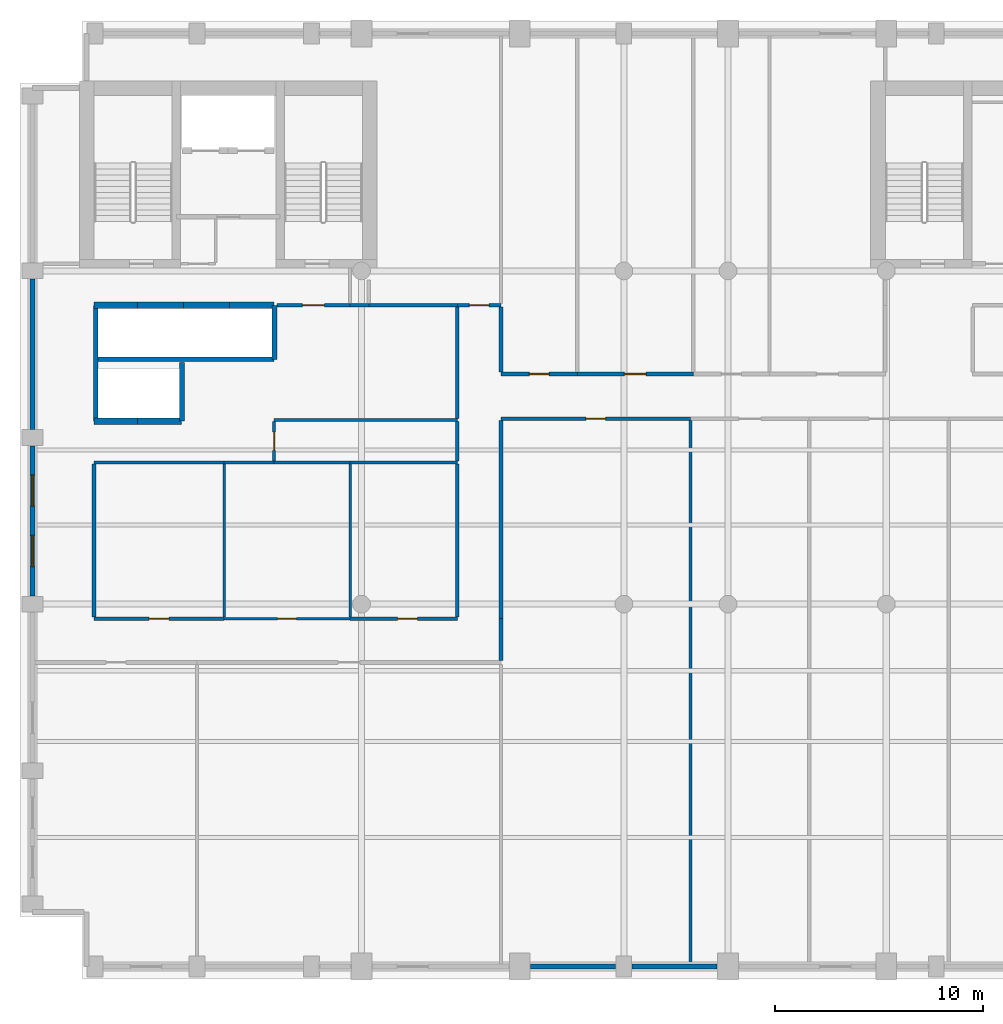
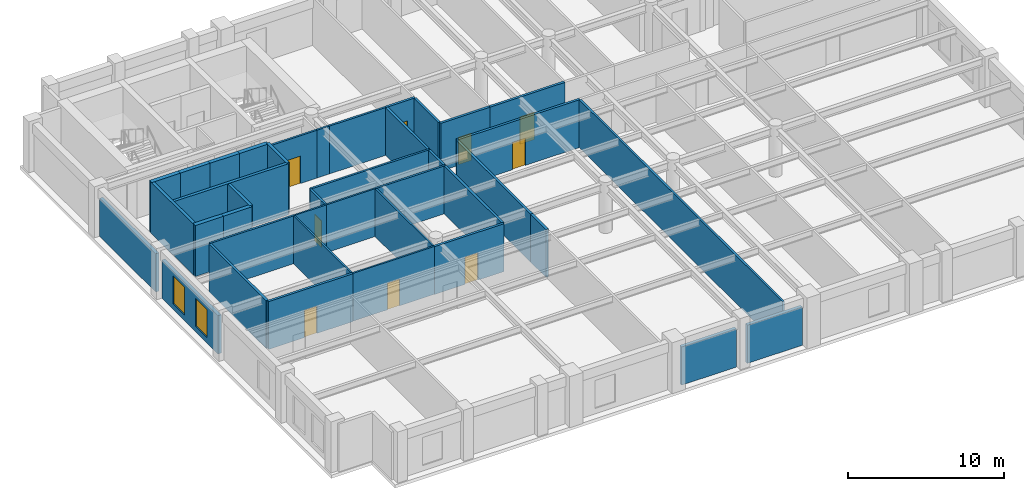
# One storey, part 3 of 8: 40 walls, 9 doors, 2 windows, 11 openings.
"""IFC4 building model written with IfcOpenShell, lengths in metres."""

import ifcopenshell
import ifcopenshell.guid

model = None  # the IFC model being written
_history = None  # IfcOwnerHistory: only IFC2X3 demands one
_inside = {}  # id of a spatial element -> (the spatial element, [elements in it])
_under = {}  # id of a project, library or spatial element -> (it, [spatial elements below it])
_declared = {}  # id of a project -> (the project, [libraries it declares])
_typed = {}  # id of a type object -> (the type object, [elements of that type])
_made_of = {}  # id of a material, layer set ... -> (it, [elements and type objects made of it])


def new_model(schema):
    """Start an empty IFC model of exactly this schema.

    Asked for "IFC4X3", IfcOpenShell would pick the latest addendum, in which some entities
    have other attributes; the version numbers below select the first issue.
    IFC2X3 requires an IfcOwnerHistory on every rooted entity: one is made here for all.
    """
    global model, _history
    if schema == "IFC4X3":
        model = ifcopenshell.file(schema_version=(4, 3, 0, 0))
    else:
        model = ifcopenshell.file(schema=schema)
    _inside.clear()
    _under.clear()
    _declared.clear()
    _typed.clear()
    _made_of.clear()
    _history = None
    if model.schema == "IFC2X3":
        org = make("IfcOrganization", Name="unknown")
        user = make(
            "IfcPersonAndOrganization",
            ThePerson=make("IfcPerson", FamilyName="unknown"),
            TheOrganization=org,
        )
        app = make(
            "IfcApplication",
            ApplicationDeveloper=org,
            Version="unknown",
            ApplicationFullName="unknown",
            ApplicationIdentifier="unknown",
        )
        _history = make(
            "IfcOwnerHistory",
            OwningUser=user,
            OwningApplication=app,
            ChangeAction="ADDED",
            CreationDate=0,
        )
    return model


def make(cls, **values):
    """One entity of the class cls with the attributes given. An attribute that is None is left unset."""
    return model.create_entity(
        cls, **{name: value for name, value in values.items() if value is not None}
    )


def rooted(cls, **values):
    """An entity with a GlobalId (a new one), such as an element, a storey or a relation."""
    return make(cls, GlobalId=ifcopenshell.guid.new(), OwnerHistory=_history, **values)


def si_unit(unit_type, name, prefix=None):
    """IfcSIUnit, for example si_unit("LENGTHUNIT", "METRE", prefix="MILLI")."""
    return make("IfcSIUnit", UnitType=unit_type, Prefix=prefix, Name=name)


def assignment(units):
    """IfcUnitAssignment: the units of a project."""
    return None if units is None else make("IfcUnitAssignment", Units=units)


def point(xyz):
    """IfcCartesianPoint."""
    return None if xyz is None else make("IfcCartesianPoint", Coordinates=xyz)


def direction(xyz):
    """IfcDirection."""
    return None if xyz is None else make("IfcDirection", DirectionRatios=xyz)


def frame(location, z_axis=None, x_axis=None):
    """IfcAxis2Placement3D, a coordinate frame: its origin and axes. An axis left out is left unset."""
    return make(
        "IfcAxis2Placement3D",
        Location=point(location),
        Axis=direction(z_axis),
        RefDirection=direction(x_axis),
    )


def frame_2d(location, x_axis=None):
    """IfcAxis2Placement2D, a coordinate frame in the plane: its origin and x axis."""
    return make(
        "IfcAxis2Placement2D", Location=point(location), RefDirection=direction(x_axis)
    )


def origin():
    """The frame at (0, 0, 0) with its axes left unset."""
    return frame((0.0, 0.0, 0.0))


def place(relative_to, where):
    """IfcLocalPlacement: puts the frame where relative to a parent placement (None: the world)."""
    return make(
        "IfcLocalPlacement", PlacementRelTo=relative_to, RelativePlacement=where
    )


def context(
    kind, dimensions, precision=None, world=None, true_north=None, identifier=None
):
    """IfcGeometricRepresentationContext, for example the 3D "Model" context."""
    return make(
        "IfcGeometricRepresentationContext",
        ContextIdentifier=identifier,
        ContextType=kind,
        CoordinateSpaceDimension=dimensions,
        Precision=precision,
        WorldCoordinateSystem=world,
        TrueNorth=true_north,
    )


def subcontext(parent, identifier, kind, view, scale=None):
    """IfcGeometricRepresentationSubContext, for example "Body" below "Model"."""
    return make(
        "IfcGeometricRepresentationSubContext",
        ContextIdentifier=identifier,
        ContextType=kind,
        ParentContext=parent,
        TargetScale=scale,
        TargetView=view,
    )


def project(units=None, contexts=None):
    """IfcProject with its units and contexts."""
    return rooted(
        "IfcProject",
        Name="project",
        RepresentationContexts=contexts,
        UnitsInContext=assignment(units),
    )


def spatial(cls, under=None, at=None, **own):
    """A site, building, storey or space (cls), placed at a placement, below another one or the project."""
    s = rooted(cls, ObjectPlacement=at, **own)
    if under is not None:
        _under.setdefault(under.id(), (under, []))[1].append(s)
    return s


def profile(cls, at=None, kind="AREA", **sizes):
    """A parametric profile (cls). Its sizes go by their IFC names, for example OverallWidth=200.0."""
    return make(cls, ProfileType=kind, Position=at, **sizes)


def rectangle(**sizes):
    """IfcRectangleProfileDef."""
    return profile("IfcRectangleProfileDef", **sizes)


def extrude(swept, where, along, depth):
    """IfcExtrudedAreaSolid: the profile swept, set in the frame where, extruded along a direction by depth."""
    return make(
        "IfcExtrudedAreaSolid",
        SweptArea=swept,
        Position=where,
        ExtrudedDirection=direction(along),
        Depth=depth,
    )


def shape(context_of_items, identifier, shape_type, items):
    """IfcShapeRepresentation: the items that make up one representation, for example the "Body"."""
    return make(
        "IfcShapeRepresentation",
        ContextOfItems=context_of_items,
        RepresentationIdentifier=identifier,
        RepresentationType=shape_type,
        Items=items,
    )


def material(Name=None, Category=None):
    """IfcMaterial."""
    return make("IfcMaterial", Name=Name, Category=Category)


def layer(
    of_material, thickness, ventilated=None, Name=None, Category=None, Priority=None
):
    """IfcMaterialLayer: one layer of a wall or slab, of a material (None: an air gap)."""
    return make(
        "IfcMaterialLayer",
        Material=of_material,
        LayerThickness=thickness,
        IsVentilated=ventilated,
        Name=Name,
        Category=Category,
        Priority=Priority,
    )


def layer_set(layers, Name=None):
    """IfcMaterialLayerSet."""
    return make("IfcMaterialLayerSet", MaterialLayers=layers, LayerSetName=Name)


def made_of(thing, what):
    """Note that an element or type object is made of a material, layer set ...; save() writes the relation."""
    if what is not None:
        _made_of.setdefault(what.id(), (what, []))[1].append(thing)
    return thing


def type_object(cls, material=None, **own):
    """A type object (cls), such as IfcWallType, which elements share."""
    return made_of(rooted(cls, **own), material)


def element(
    cls,
    number,
    at=None,
    inside=None,
    cuts=None,
    type_object=None,
    material=None,
    context=None,
    identifier="Body",
    shape_type=None,
    held_by="IfcProductDefinitionShape",
    body=None,
    shapes=None,
    **own,
):
    """One element of the class cls, such as IfcWall. Its Tag is "e" and its number.

    at: its placement. inside: the storey or other place that contains it. cuts: it is an
    opening in that element (IfcRelVoidsElement). A single representation is given by context,
    identifier, shape_type and body (its items); several are given by shapes. held_by: the class
    of the entity that holds the representations. save() writes the other relations.
    """
    e = rooted(cls, Tag="e%d" % number, ObjectPlacement=at, **own)
    if body is not None:
        shapes = [shape(context, identifier, shape_type, body)]
    if shapes is not None:
        e.Representation = make(held_by, Representations=shapes)
    if inside is not None:
        _inside.setdefault(inside.id(), (inside, []))[1].append(e)
    if cuts is not None:
        rooted(
            "IfcRelVoidsElement", RelatingBuildingElement=cuts, RelatedOpeningElement=e
        )
    if type_object is not None:
        _typed.setdefault(type_object.id(), (type_object, []))[1].append(e)
    return made_of(e, material)


def fill(opening, filler):
    """IfcRelFillsElement: the door or window that sits in an opening."""
    return rooted(
        "IfcRelFillsElement",
        RelatingOpeningElement=opening,
        RelatedBuildingElement=filler,
    )


def aggregate(whole, parts):
    """IfcRelAggregates: a whole, such as a stair, and the parts it consists of."""
    return rooted("IfcRelAggregates", RelatingObject=whole, RelatedObjects=parts)


def save(model, path):
    """Write the relations noted so far, then the file.

    IfcRelAggregates (storeys below a building ...), IfcRelContainedInSpatialStructure (elements
    in a storey), IfcRelDefinesByType, IfcRelAssociatesMaterial and IfcRelDeclares: one each for
    every whole, place, type object, material and project.
    """
    for whole, parts in _under.values():
        aggregate(whole, parts)
    for where, things in _inside.values():
        rooted(
            "IfcRelContainedInSpatialStructure",
            RelatedElements=things,
            RelatingStructure=where,
        )
    for kind, things in _typed.values():
        rooted("IfcRelDefinesByType", RelatedObjects=things, RelatingType=kind)
    for what, things in _made_of.values():
        rooted("IfcRelAssociatesMaterial", RelatedObjects=things, RelatingMaterial=what)
    for by, libraries in _declared.values():
        rooted("IfcRelDeclares", RelatingContext=by, RelatedDefinitions=libraries)
    model.write(path)


model = new_model("IFC4")

# Units and contexts
model_context = context("Model", 3, precision=1e-05, world=origin(), true_north=direction((0.0, 1.0)))
body_context = subcontext(model_context, "Body", "Model", "MODEL_VIEW")
ifc_project = project(units=[si_unit("LENGTHUNIT", "METRE"), si_unit("AREAUNIT", "SQUARE_METRE"), si_unit("VOLUMEUNIT", "CUBIC_METRE"), si_unit("PLANEANGLEUNIT", "RADIAN"), si_unit("MASSUNIT", "GRAM", prefix="KILO")], contexts=[model_context])

# Site, building, storey
site_placement = place(None, origin())
site = spatial("IfcSite", under=ifc_project, at=site_placement, CompositionType="ELEMENT")
building_placement = place(site_placement, origin())
building = spatial("IfcBuilding", under=site, at=building_placement, Name="Sulina Concourse Tower", CompositionType="ELEMENT")
storey_placement = place(building_placement, frame((0.0, 0.0, 226.60009765625)))
storey = spatial("IfcBuildingStorey", under=building, at=storey_placement, Name="L55", CompositionType="ELEMENT", Elevation=226.60009765625)

# Walls
ifc_material_1 = material(Name="Concrete C50/60", Category="concrete")
ifc_layer_1 = layer(ifc_material_1, 0.219970703125)
ifc_layer_set_1 = layer_set([ifc_layer_1], Name="Concrete C50/60")
wall_type_1 = type_object("IfcWallType", Name="Core Lift Hoistway Divider Wall 220mm", PredefinedType="SOLIDWALL", material=ifc_layer_set_1)
wall_1_placement = place(storey_placement, frame((3.550048828125, 29.75, 0.0), z_axis=(0.0, 0.0, 1.0), x_axis=(1.0, 0.0, 0.0)))
element("IfcWall", 1, at=wall_1_placement, inside=storey, type_object=wall_type_1, Name="L55 shaft divider wall HW-LP3-S", PredefinedType="SOLIDWALL", context=body_context, shape_type="SweptSolid", body=[
    extrude(rectangle(XDim=8.64990234375, YDim=0.219970703125, at=frame_2d((4.324951171875, 0.0))), origin(), (0.0, 0.0, 1.0), 4.0),
])
wall_2_placement = place(storey_placement, frame((3.6298828125, 26.800048828125, 0.0), z_axis=(0.0, 0.0, 1.0), x_axis=(0.0, 1.0, 0.0)))
element("IfcWall", 2, at=wall_2_placement, inside=storey, type_object=wall_type_1, Name="L55 shaft divider wall HW-LP3-W", PredefinedType="SOLIDWALL", context=body_context, shape_type="SweptSolid", body=[
    extrude(rectangle(XDim=5.550048828125, YDim=0.219970703125, at=frame_2d((2.77490234375, 0.0))), origin(), (0.0, 0.0, 1.0), 4.0),
])
wall_3_placement = place(storey_placement, frame((7.780029296875, 26.800048828125, 0.0), z_axis=(0.0, 0.0, 1.0), x_axis=(0.0, 1.0, 0.0)))
element("IfcWall", 3, at=wall_3_placement, inside=storey, type_object=wall_type_1, Name="L55 shaft divider wall HW-EXP-E", PredefinedType="SOLIDWALL", context=body_context, shape_type="SweptSolid", body=[
    extrude(rectangle(XDim=2.800048828125, YDim=0.219970703125, at=frame_2d((1.39990234375, 0.0))), origin(), (0.0, 0.0, 1.0), 4.0),
])
wall_4_placement = place(storey_placement, frame((12.219970703125, 29.75, 0.0), z_axis=(0.0, 0.0, 1.0), x_axis=(0.0, 1.0, 0.0)))
element("IfcWall", 4, at=wall_4_placement, inside=storey, type_object=wall_type_1, Name="L55 shaft divider wall HW-LP3-E", PredefinedType="SOLIDWALL", context=body_context, shape_type="SweptSolid", body=[
    extrude(rectangle(XDim=2.60009765625, YDim=0.219970703125, at=frame_2d((1.300048828125, 0.0))), origin(), (0.0, 0.0, 1.0), 4.0),
])
ifc_material_2 = material(Name="Concrete C50/60", Category="concrete")
ifc_layer_2 = layer(ifc_material_2, 0.300048828125)
ifc_layer_set_2 = layer_set([ifc_layer_2], Name="Concrete C50/60")
wall_type_2 = type_object("IfcWallType", Name="Core Lift Hoistway Wall 300mm", PredefinedType="SOLIDWALL", material=ifc_layer_set_2)
wall_5_placement = place(storey_placement, frame((3.550048828125, 32.35009765625, 0.0), z_axis=(0.0, 0.0, 1.0), x_axis=(1.0, 0.0, 0.0)))
element("IfcWall", 5, at=wall_5_placement, inside=storey, type_object=wall_type_2, Name="L55 hoistway enclosure wall LP-09", PredefinedType="SOLIDWALL", context=body_context, shape_type="SweptSolid", body=[
    extrude(rectangle(XDim=2.099853515625, YDim=0.300048828125, at=frame_2d((1.0498046875, 0.0))), origin(), (0.0, 0.0, 1.0), 4.0),
])
wall_6_placement = place(storey_placement, frame((5.64990234375, 32.35009765625, 0.0), z_axis=(0.0, 0.0, 1.0), x_axis=(1.0, 0.0, 0.0)))
element("IfcWall", 6, at=wall_6_placement, inside=storey, type_object=wall_type_2, Name="L55 hoistway enclosure wall LP-10", PredefinedType="SOLIDWALL", context=body_context, shape_type="SweptSolid", body=[
    extrude(rectangle(XDim=2.2001953125, YDim=0.300048828125, at=frame_2d((1.10009765625, 0.0))), origin(), (0.0, 0.0, 1.0), 4.0),
])
wall_7_placement = place(storey_placement, frame((7.85009765625, 32.35009765625, 0.0), z_axis=(0.0, 0.0, 1.0), x_axis=(1.0, 0.0, 0.0)))
element("IfcWall", 7, at=wall_7_placement, inside=storey, type_object=wall_type_2, Name="L55 hoistway enclosure wall LP-11", PredefinedType="SOLIDWALL", context=body_context, shape_type="SweptSolid", body=[
    extrude(rectangle(XDim=2.199951171875, YDim=0.300048828125, at=frame_2d((1.10009765625, 0.0))), origin(), (0.0, 0.0, 1.0), 4.0),
])
wall_8_placement = place(storey_placement, frame((10.050048828125, 32.35009765625, 0.0), z_axis=(0.0, 0.0, 1.0), x_axis=(1.0, 0.0, 0.0)))
element("IfcWall", 8, at=wall_8_placement, inside=storey, type_object=wall_type_2, Name="L55 hoistway enclosure wall LP-12", PredefinedType="SOLIDWALL", context=body_context, shape_type="SweptSolid", body=[
    extrude(rectangle(XDim=2.14990234375, YDim=0.300048828125, at=frame_2d((1.074951171875, 0.0))), origin(), (0.0, 0.0, 1.0), 4.0),
])
wall_9_placement = place(storey_placement, frame((5.64990234375, 26.780029296875, 0.0), z_axis=(0.0, 0.0, 1.0), x_axis=(-1.0, 0.0, 0.0)))
element("IfcWall", 9, at=wall_9_placement, inside=storey, type_object=wall_type_2, Name="L55 hoistway enclosure wall EXP-1", PredefinedType="SOLIDWALL", context=body_context, shape_type="SweptSolid", body=[
    extrude(rectangle(XDim=2.099853515625, YDim=0.300048828125, at=frame_2d((1.0498046875, 0.0))), origin(), (0.0, 0.0, 1.0), 4.0),
])
wall_10_placement = place(storey_placement, frame((7.75, 26.780029296875, 0.0), z_axis=(0.0, 0.0, 1.0), x_axis=(-1.0, 0.0, 0.0)))
element("IfcWall", 10, at=wall_10_placement, inside=storey, type_object=wall_type_2, Name="L55 hoistway enclosure wall EXP-2", PredefinedType="SOLIDWALL", context=body_context, shape_type="SweptSolid", body=[
    extrude(rectangle(XDim=2.10009765625, YDim=0.300048828125, at=frame_2d((1.050048828125, 0.0))), origin(), (0.0, 0.0, 1.0), 4.0),
])
ifc_material_3 = material(Name="Precast concrete C50/60", Category="concrete")
ifc_layer_3 = layer(ifc_material_3, 0.239990234375)
ifc_layer_set_3 = layer_set([ifc_layer_3], Name="Precast concrete C50/60")
wall_type_3 = type_object("IfcWallType", Name="Crown Precast Masonry-Frame Facade Wall 240mm", PredefinedType="SOLIDWALL", material=ifc_layer_set_3)
for number, where, z_axis, x_axis, name in (
    (11, (28.60498046875, 0.60009765625, 0.0), (0.0, 0.0, 1.0), (-1.0, 0.0, 0.0), "L55 exterior precast wall S5"),
    (12, (33.47998046875, 0.60009765625, 0.0), (0.0, 0.0, 1.0), (-1.0, 0.0, 0.0), "L55 exterior precast wall S6"),
):
    element("IfcWall", number, at=place(storey_placement, frame(where, z_axis=z_axis, x_axis=x_axis)), inside=storey, type_object=wall_type_3, Name=name, PredefinedType="SOLIDWALL", context=body_context, shape_type="SweptSolid", body=[
        extrude(rectangle(XDim=4.0849609375, YDim=0.239990234375, at=frame_2d((2.04248046875, 0.0))), origin(), (0.0, 0.0, 1.0), 3.0),
    ])

# Wall, openings, windows
wall_11_placement = place(storey_placement, frame((0.60009765625, 18.39501953125, 0.0), z_axis=(0.0, 0.0, 1.0), x_axis=(0.0, 1.0, 0.0)))
wall_11 = element("IfcWall", 13, at=wall_11_placement, inside=storey, type_object=wall_type_3, Name="L55 exterior precast wall W3", PredefinedType="SOLIDWALL", context=body_context, shape_type="SweptSolid", body=[
    extrude(rectangle(XDim=7.2099609375, YDim=0.239990234375, at=frame_2d((3.60498046875, 0.0))), origin(), (0.0, 0.0, 1.0), 3.0),
])
opening_1_placement = place(wall_11_placement, frame((1.4033203125, 0.0, 0.419921875)))
opening_1 = element("IfcOpeningElement", 14, at=opening_1_placement, cuts=wall_11, Name="Opening WN-71", PredefinedType="OPENING", context=body_context, shape_type="SweptSolid", body=[
    extrude(rectangle(XDim=1.5, YDim=2.199951171875, at=frame_2d((0.75, 1.10009765625))), frame((0.0, 0.1298828125, 0.0), z_axis=(0.0, -1.0, 0.0), x_axis=(1.0, 0.0, 0.0)), (0.0, 0.0, 1.0), 0.260009765625),
])
opening_2_placement = place(wall_11_placement, frame((4.306640625, 0.0, 0.419921875)))
opening_2 = element("IfcOpeningElement", 15, at=opening_2_placement, cuts=wall_11, Name="Opening WN-71", PredefinedType="OPENING", context=body_context, shape_type="SweptSolid", body=[
    extrude(rectangle(XDim=1.5, YDim=2.199951171875, at=frame_2d((0.75, 1.10009765625))), frame((0.0, 0.1298828125, 0.0), z_axis=(0.0, -1.0, 0.0), x_axis=(1.0, 0.0, 0.0)), (0.0, 0.0, 1.0), 0.260009765625),
])
ifc_material_4 = material(Name="Low-E solar double glazing in bronze aluminium", Category="aluminium")
window_type = type_object("IfcWindowType", Name="Punched Masonry-Frame Window 1500x2200", PartitioningType="SINGLE_PANEL", PredefinedType="WINDOW", material=ifc_material_4)
window_1_placement = place(opening_1_placement, origin())
window_1 = element("IfcWindow", 16, at=window_1_placement, inside=storey, type_object=window_type, Name="L55 punched window W3-1", OverallHeight=2.199951171875, OverallWidth=1.5, PartitioningType="SINGLE_PANEL", PredefinedType="WINDOW", context=body_context, shape_type="SweptSolid", body=[
    extrude(rectangle(XDim=1.5, YDim=2.199951171875, at=frame_2d((0.75, 1.10009765625))), frame((0.0, 0.030029296875, 0.0), z_axis=(0.0, -1.0, 0.0), x_axis=(1.0, 0.0, 0.0)), (0.0, 0.0, 1.0), 0.06005859375),
])
fill(opening_1, window_1)
window_2_placement = place(opening_2_placement, origin())
window_2 = element("IfcWindow", 17, at=window_2_placement, inside=storey, type_object=window_type, Name="L55 punched window W3-2", OverallHeight=2.199951171875, OverallWidth=1.5, PartitioningType="SINGLE_PANEL", PredefinedType="WINDOW", context=body_context, shape_type="SweptSolid", body=[
    extrude(rectangle(XDim=1.5, YDim=2.199951171875, at=frame_2d((0.75, 1.10009765625))), frame((0.0, 0.030029296875, 0.0), z_axis=(0.0, -1.0, 0.0), x_axis=(1.0, 0.0, 0.0)), (0.0, 0.0, 1.0), 0.06005859375),
])
fill(opening_2, window_2)

# Walls
wall_12_placement = place(storey_placement, frame((0.60009765625, 26.39501953125, 0.0), z_axis=(0.0, 0.0, 1.0), x_axis=(0.0, 1.0, 0.0)))
element("IfcWall", 18, at=wall_12_placement, inside=storey, type_object=wall_type_3, Name="L55 exterior precast wall W4", PredefinedType="SOLIDWALL", context=body_context, shape_type="SweptSolid", body=[
    extrude(rectangle(XDim=7.2099609375, YDim=0.239990234375, at=frame_2d((3.60498046875, 0.0))), origin(), (0.0, 0.0, 1.0), 3.0),
])
ifc_material_5 = material(Name="Gypsum board on steel stud", Category="steel")
ifc_layer_4 = layer(ifc_material_5, 0.14990234375)
ifc_layer_set_4 = layer_set([ifc_layer_4], Name="Gypsum board on steel stud")
wall_type_4 = type_object("IfcWallType", Name="Inter-Tenancy Acoustic Partition 150mm", PredefinedType="PARTITIONING", material=ifc_layer_set_4)
wall_13_placement = place(storey_placement, frame((3.550048828125, 24.800048828125, 0.0), z_axis=(0.0, 0.0, 1.0), x_axis=(1.0, 0.0, 0.0)))
element("IfcWall", 19, at=wall_13_placement, inside=storey, type_object=wall_type_4, Name="L55 interior partition 006", PredefinedType="PARTITIONING", context=body_context, shape_type="SweptSolid", body=[
    extrude(rectangle(XDim=6.25, YDim=0.14990234375, at=frame_2d((3.125, 0.0))), origin(), (0.0, 0.0, 1.0), 3.75),
])
wall_14_placement = place(storey_placement, frame((15.85009765625, 24.800048828125, 0.0), z_axis=(0.0, 0.0, 1.0), x_axis=(1.0, 0.0, 0.0)))
element("IfcWall", 20, at=wall_14_placement, inside=storey, type_object=wall_type_4, Name="L55 interior partition 009", PredefinedType="PARTITIONING", context=body_context, shape_type="SweptSolid", body=[
    extrude(rectangle(XDim=5.14990234375, YDim=0.14990234375, at=frame_2d((2.574951171875, 0.0))), origin(), (0.0, 0.0, 1.0), 3.75),
])
wall_15_placement = place(storey_placement, frame((12.199951171875, 26.85009765625, 0.0), z_axis=(0.0, 0.0, 1.0), x_axis=(1.0, 0.0, 0.0)))
element("IfcWall", 21, at=wall_15_placement, inside=storey, type_object=wall_type_4, Name="L55 interior partition 010", PredefinedType="PARTITIONING", context=body_context, shape_type="SweptSolid", body=[
    extrude(rectangle(XDim=8.800048828125, YDim=0.14990234375, at=frame_2d((4.39990234375, 0.0))), origin(), (0.0, 0.0, 1.0), 3.75),
])

# Wall, opening, door
wall_16_placement = place(storey_placement, frame((12.330078125, 32.35009765625, 0.0), z_axis=(0.0, 0.0, 1.0), x_axis=(1.0, 0.0, 0.0)))
wall_16 = element("IfcWall", 22, at=wall_16_placement, inside=storey, type_object=wall_type_4, Name="L55 interior partition 020", PredefinedType="PARTITIONING", context=body_context, shape_type="SweptSolid", body=[
    extrude(rectangle(XDim=3.52001953125, YDim=0.14990234375, at=frame_2d((1.760009765625, 0.0))), origin(), (0.0, 0.0, 1.0), 3.75),
])
opening_3_placement = place(wall_16_placement, frame((1.235107421875, 0.0, 0.0)))
opening_3 = element("IfcOpeningElement", 23, at=opening_3_placement, cuts=wall_16, Name="Opening DR-37", PredefinedType="OPENING", context=body_context, shape_type="SweptSolid", body=[
    extrude(rectangle(XDim=1.050048828125, YDim=2.14990234375, at=frame_2d((0.52490234375, 1.074951171875))), frame((0.0, 0.0849609375, 0.0), z_axis=(0.0, -1.0, 0.0), x_axis=(1.0, 0.0, 0.0)), (0.0, 0.0, 1.0), 0.169921875),
])
ifc_material_6 = material(Name="Oak-veneered fire door leaf")
ifc_layer_5 = layer(ifc_material_6, 0.050048828125)
ifc_layer_set_5 = layer_set([ifc_layer_5], Name="Oak-veneered fire door leaf")
door_type_1 = type_object("IfcDoorType", Name="Tenant Suite Entrance Fire Door 1050x2150", OperationType="NOTDEFINED", PredefinedType="DOOR", material=ifc_layer_set_5)
door_1_placement = place(opening_3_placement, origin())
door_1 = element("IfcDoor", 24, at=door_1_placement, inside=storey, type_object=door_type_1, Name="L55 interior door L55-MR-MRG2", OperationType="SINGLE_SWING_LEFT", OverallHeight=2.14990234375, OverallWidth=1.050048828125, PredefinedType="DOOR", context=body_context, shape_type="SweptSolid", body=[
    extrude(rectangle(XDim=1.050048828125, YDim=2.14990234375, at=frame_2d((0.52490234375, 1.074951171875))), frame((0.0, 0.02490234375, 0.0), z_axis=(0.0, -1.0, 0.0), x_axis=(1.0, 0.0, 0.0)), (0.0, 0.0, 1.0), 0.050048828125),
])
fill(opening_3, door_1)

# Walls
wall_17_placement = place(storey_placement, frame((15.85009765625, 32.35009765625, 0.0), z_axis=(0.0, 0.0, 1.0), x_axis=(1.0, 0.0, 0.0)))
element("IfcWall", 25, at=wall_17_placement, inside=storey, type_object=wall_type_4, Name="L55 interior partition 021", PredefinedType="PARTITIONING", context=body_context, shape_type="SweptSolid", body=[
    extrude(rectangle(XDim=0.89990234375, YDim=0.14990234375, at=frame_2d((0.449951171875, 0.0))), origin(), (0.0, 0.0, 1.0), 3.75),
])
wall_18_placement = place(storey_placement, frame((16.75, 32.35009765625, 0.0), z_axis=(0.0, 0.0, 1.0), x_axis=(1.0, 0.0, 0.0)))
element("IfcWall", 26, at=wall_18_placement, inside=storey, type_object=wall_type_4, Name="L55 interior partition 022", PredefinedType="PARTITIONING", context=body_context, shape_type="SweptSolid", body=[
    extrude(rectangle(XDim=4.25, YDim=0.14990234375, at=frame_2d((2.125, 0.0))), origin(), (0.0, 0.0, 1.0), 3.75),
])

# Wall, opening, door
wall_19_placement = place(storey_placement, frame((12.199951171875, 24.862548828125, 0.0), z_axis=(0.0, 0.0, 1.0), x_axis=(0.0, 1.0, 0.0)))
wall_19 = element("IfcWall", 27, at=wall_19_placement, inside=storey, type_object=wall_type_4, Name="L55 interior partition 034", PredefinedType="PARTITIONING", context=body_context, shape_type="SweptSolid", body=[
    extrude(rectangle(XDim=1.912353515625, YDim=0.14990234375, at=frame_2d((0.9560546875, 0.0))), origin(), (0.0, 0.0, 1.0), 3.75),
])
opening_4_placement = place(wall_19_placement, frame((0.51611328125, 0.0, 0.0)))
opening_4 = element("IfcOpeningElement", 28, at=opening_4_placement, cuts=wall_19, Name="Opening DR-38", PredefinedType="OPENING", context=body_context, shape_type="SweptSolid", body=[
    extrude(rectangle(XDim=0.8798828125, YDim=2.10009765625, at=frame_2d((0.43994140625, 1.050048828125))), frame((0.0, 0.0849609375, 0.0), z_axis=(0.0, -1.0, 0.0), x_axis=(1.0, 0.0, 0.0)), (0.0, 0.0, 1.0), 0.169921875),
])
ifc_material_7 = material(Name="Galvanised steel acoustic fire leaf", Category="steel")
ifc_layer_6 = layer(ifc_material_7, 0.050048828125)
ifc_layer_set_6 = layer_set([ifc_layer_6], Name="Galvanised steel acoustic fire leaf")
door_type_2 = type_object("IfcDoorType", Name="Service Riser Fire Door 880x2100", OperationType="NOTDEFINED", PredefinedType="DOOR", material=ifc_layer_set_6)
door_2_placement = place(opening_4_placement, origin())
door_2 = element("IfcDoor", 29, at=door_2_placement, inside=storey, type_object=door_type_2, Name="L55 interior door L55-MR-MRG1", OperationType="SINGLE_SWING_RIGHT", OverallHeight=2.10009765625, OverallWidth=0.8798828125, PredefinedType="DOOR", context=body_context, shape_type="SweptSolid", body=[
    extrude(rectangle(XDim=0.8798828125, YDim=2.10009765625, at=frame_2d((0.43994140625, 1.050048828125))), frame((0.0, 0.02490234375, 0.0), z_axis=(0.0, -1.0, 0.0), x_axis=(1.0, 0.0, 0.0)), (0.0, 0.0, 1.0), 0.050048828125),
])
fill(opening_4, door_2)

# Wall
wall_20_placement = place(storey_placement, frame((32.199951171875, 0.719970703125, 0.0), z_axis=(0.0, 0.0, 1.0), x_axis=(0.0, 1.0, 0.0)))
element("IfcWall", 30, at=wall_20_placement, inside=storey, type_object=wall_type_4, Name="L55 interior partition 047", PredefinedType="PARTITIONING", context=body_context, shape_type="SweptSolid", body=[
    extrude(rectangle(XDim=26.090087890625, YDim=0.14990234375, at=frame_2d((13.044921875, 0.0))), origin(), (0.0, 0.0, 1.0), 3.75),
])

# Wall, opening, door
ifc_material_8 = material(Name="Gypsum board on steel stud", Category="steel")
ifc_layer_7 = layer(ifc_material_8, 0.179931640625)
ifc_layer_set_7 = layer_set([ifc_layer_7], Name="Gypsum board on steel stud")
wall_type_5 = type_object("IfcWallType", Name="Protected Corridor & Riser Partition 180mm", PredefinedType="PARTITIONING", material=ifc_layer_set_7)
wall_21_placement = place(storey_placement, frame((3.550048828125, 17.300048828125, 0.0), z_axis=(0.0, 0.0, 1.0), x_axis=(1.0, 0.0, 0.0)))
wall_21 = element("IfcWall", 31, at=wall_21_placement, inside=storey, type_object=wall_type_5, Name="L55 interior partition 003", PredefinedType="PARTITIONING", context=body_context, shape_type="SweptSolid", body=[
    extrude(rectangle(XDim=6.25, YDim=0.179931640625, at=frame_2d((3.125, 0.0))), origin(), (0.0, 0.0, 1.0), 3.75),
])
opening_5_placement = place(wall_21_placement, frame((2.64990234375, 0.0, 0.0)))
opening_5 = element("IfcOpeningElement", 32, at=opening_5_placement, cuts=wall_21, Name="Opening DR-19", PredefinedType="OPENING", context=body_context, shape_type="SweptSolid", body=[
    extrude(rectangle(XDim=0.949951171875, YDim=2.14990234375, at=frame_2d((0.47509765625, 1.074951171875))), frame((0.0, 0.099853515625, 0.0), z_axis=(0.0, -1.0, 0.0), x_axis=(1.0, 0.0, 0.0)), (0.0, 0.0, 1.0), 0.199951171875),
])
ifc_material_9 = material(Name="Oak-veneered acoustic timber leaf", Category="wood")
ifc_layer_8 = layer(ifc_material_9, 0.050048828125)
ifc_layer_set_8 = layer_set([ifc_layer_8], Name="Oak-veneered acoustic timber leaf")
door_type_3 = type_object("IfcDoorType", Name="Cellular Office & Meeting Door 950x2150", OperationType="NOTDEFINED", PredefinedType="DOOR", material=ifc_layer_set_8)
door_3_placement = place(opening_5_placement, origin())
door_3 = element("IfcDoor", 33, at=door_3_placement, inside=storey, type_object=door_type_3, Name="L55 interior door L55-LR-MRG1", OperationType="SINGLE_SWING_LEFT", OverallHeight=2.14990234375, OverallWidth=0.949951171875, PredefinedType="DOOR", context=body_context, shape_type="SweptSolid", body=[
    extrude(rectangle(XDim=0.949951171875, YDim=2.14990234375, at=frame_2d((0.47509765625, 1.074951171875))), frame((0.0, 0.02490234375, 0.0), z_axis=(0.0, -1.0, 0.0), x_axis=(1.0, 0.0, 0.0)), (0.0, 0.0, 1.0), 0.050048828125),
])
fill(opening_5, door_3)

wall_22_placement = place(storey_placement, frame((15.85009765625, 17.300048828125, 0.0), z_axis=(0.0, 0.0, 1.0), x_axis=(1.0, 0.0, 0.0)))
wall_22 = element("IfcWall", 34, at=wall_22_placement, inside=storey, type_object=wall_type_5, Name="L55 interior partition 005", PredefinedType="PARTITIONING", context=body_context, shape_type="SweptSolid", body=[
    extrude(rectangle(XDim=5.14990234375, YDim=0.179931640625, at=frame_2d((2.574951171875, 0.0))), origin(), (0.0, 0.0, 1.0), 3.75),
])
opening_6_placement = place(wall_22_placement, frame((2.280029296875, 0.0, 0.0)))
opening_6 = element("IfcOpeningElement", 35, at=opening_6_placement, cuts=wall_22, Name="Opening DR-19", PredefinedType="OPENING", context=body_context, shape_type="SweptSolid", body=[
    extrude(rectangle(XDim=0.949951171875, YDim=2.14990234375, at=frame_2d((0.47509765625, 1.074951171875))), frame((0.0, 0.099853515625, 0.0), z_axis=(0.0, -1.0, 0.0), x_axis=(1.0, 0.0, 0.0)), (0.0, 0.0, 1.0), 0.199951171875),
])
door_4_placement = place(opening_6_placement, origin())
door_4 = element("IfcDoor", 36, at=door_4_placement, inside=storey, type_object=door_type_3, Name="L55 interior door L55-NZ-PKW", OperationType="SINGLE_SWING_LEFT", OverallHeight=2.14990234375, OverallWidth=0.949951171875, PredefinedType="DOOR", context=body_context, shape_type="SweptSolid", body=[
    extrude(rectangle(XDim=0.949951171875, YDim=2.14990234375, at=frame_2d((0.47509765625, 1.074951171875))), frame((0.0, 0.02490234375, 0.0), z_axis=(0.0, -1.0, 0.0), x_axis=(1.0, 0.0, 0.0)), (0.0, 0.0, 1.0), 0.050048828125),
])
fill(opening_6, door_4)

wall_23_placement = place(storey_placement, frame((23.10009765625, 26.89990234375, 0.0), z_axis=(0.0, 0.0, 1.0), x_axis=(1.0, 0.0, 0.0)))
wall_23 = element("IfcWall", 37, at=wall_23_placement, inside=storey, type_object=wall_type_5, Name="L55 interior partition 011", PredefinedType="PARTITIONING", context=body_context, shape_type="SweptSolid", body=[
    extrude(rectangle(XDim=9.099853515625, YDim=0.179931640625, at=frame_2d((4.5498046875, 0.0))), origin(), (0.0, 0.0, 1.0), 3.75),
])
opening_7_placement = place(wall_23_placement, frame((4.074951171875, 0.0, 0.0)))
opening_7 = element("IfcOpeningElement", 38, at=opening_7_placement, cuts=wall_23, Name="Opening DR-19", PredefinedType="OPENING", context=body_context, shape_type="SweptSolid", body=[
    extrude(rectangle(XDim=0.949951171875, YDim=2.14990234375, at=frame_2d((0.47509765625, 1.074951171875))), frame((0.0, 0.099853515625, 0.0), z_axis=(0.0, -1.0, 0.0), x_axis=(1.0, 0.0, 0.0)), (0.0, 0.0, 1.0), 0.199951171875),
])
door_5_placement = place(opening_7_placement, origin())
door_5 = element("IfcDoor", 39, at=door_5_placement, inside=storey, type_object=door_type_3, Name="L55 interior door L55-S03", OperationType="SINGLE_SWING_RIGHT", OverallHeight=2.14990234375, OverallWidth=0.949951171875, PredefinedType="DOOR", context=body_context, shape_type="SweptSolid", body=[
    extrude(rectangle(XDim=0.949951171875, YDim=2.14990234375, at=frame_2d((0.47509765625, 1.074951171875))), frame((0.0, 0.02490234375, 0.0), z_axis=(0.0, -1.0, 0.0), x_axis=(1.0, 0.0, 0.0)), (0.0, 0.0, 1.0), 0.050048828125),
])
fill(opening_7, door_5)

wall_24_placement = place(storey_placement, frame((23.10009765625, 29.050048828125, 0.0), z_axis=(0.0, 0.0, 1.0), x_axis=(1.0, 0.0, 0.0)))
wall_24 = element("IfcWall", 40, at=wall_24_placement, inside=storey, type_object=wall_type_5, Name="L55 interior partition 015", PredefinedType="PARTITIONING", context=body_context, shape_type="SweptSolid", body=[
    extrude(rectangle(XDim=3.659912109375, YDim=0.179931640625, at=frame_2d((1.830078125, 0.0))), origin(), (0.0, 0.0, 1.0), 3.75),
])
opening_8_placement = place(wall_24_placement, frame((1.35498046875, 0.0, 0.0)))
opening_8 = element("IfcOpeningElement", 41, at=opening_8_placement, cuts=wall_24, Name="Opening DR-19", PredefinedType="OPENING", context=body_context, shape_type="SweptSolid", body=[
    extrude(rectangle(XDim=0.949951171875, YDim=2.14990234375, at=frame_2d((0.47509765625, 1.074951171875))), frame((0.0, 0.099853515625, 0.0), z_axis=(0.0, -1.0, 0.0), x_axis=(1.0, 0.0, 0.0)), (0.0, 0.0, 1.0), 0.199951171875),
])
door_6_placement = place(opening_8_placement, origin())
door_6 = element("IfcDoor", 42, at=door_6_placement, inside=storey, type_object=door_type_3, Name="L55 interior door L55-NC1", OperationType="SINGLE_SWING_RIGHT", OverallHeight=2.14990234375, OverallWidth=0.949951171875, PredefinedType="DOOR", context=body_context, shape_type="SweptSolid", body=[
    extrude(rectangle(XDim=0.949951171875, YDim=2.14990234375, at=frame_2d((0.47509765625, 1.074951171875))), frame((0.0, 0.02490234375, 0.0), z_axis=(0.0, -1.0, 0.0), x_axis=(1.0, 0.0, 0.0)), (0.0, 0.0, 1.0), 0.050048828125),
])
fill(opening_8, door_6)

wall_25_placement = place(storey_placement, frame((26.760009765625, 29.050048828125, 0.0), z_axis=(0.0, 0.0, 1.0), x_axis=(1.0, 0.0, 0.0)))
wall_25 = element("IfcWall", 43, at=wall_25_placement, inside=storey, type_object=wall_type_5, Name="L55 interior partition 016", PredefinedType="PARTITIONING", context=body_context, shape_type="SweptSolid", body=[
    extrude(rectangle(XDim=5.570068359375, YDim=0.179931640625, at=frame_2d((2.78515625, 0.0))), origin(), (0.0, 0.0, 1.0), 3.75),
])
opening_9_placement = place(wall_25_placement, frame((2.260009765625, 0.0, 0.0)))
opening_9 = element("IfcOpeningElement", 44, at=opening_9_placement, cuts=wall_25, Name="Opening DR-37", PredefinedType="OPENING", context=body_context, shape_type="SweptSolid", body=[
    extrude(rectangle(XDim=1.050048828125, YDim=2.14990234375, at=frame_2d((0.52490234375, 1.074951171875))), frame((0.0, 0.099853515625, 0.0), z_axis=(0.0, -1.0, 0.0), x_axis=(1.0, 0.0, 0.0)), (0.0, 0.0, 1.0), 0.199951171875),
])
door_7_placement = place(opening_9_placement, origin())
door_7 = element("IfcDoor", 45, at=door_7_placement, inside=storey, type_object=door_type_1, Name="L55 interior door L55-NC2", OperationType="SINGLE_SWING_LEFT", OverallHeight=2.14990234375, OverallWidth=1.050048828125, PredefinedType="DOOR", context=body_context, shape_type="SweptSolid", body=[
    extrude(rectangle(XDim=1.050048828125, YDim=2.14990234375, at=frame_2d((0.52490234375, 1.074951171875))), frame((0.0, 0.02490234375, 0.0), z_axis=(0.0, -1.0, 0.0), x_axis=(1.0, 0.0, 0.0)), (0.0, 0.0, 1.0), 0.050048828125),
])
fill(opening_9, door_7)

wall_26_placement = place(storey_placement, frame((21.0, 32.35009765625, 0.0), z_axis=(0.0, 0.0, 1.0), x_axis=(1.0, 0.0, 0.0)))
wall_26 = element("IfcWall", 46, at=wall_26_placement, inside=storey, type_object=wall_type_5, Name="L55 interior partition 023", PredefinedType="PARTITIONING", context=body_context, shape_type="SweptSolid", body=[
    extrude(rectangle(XDim=2.10009765625, YDim=0.179931640625, at=frame_2d((1.050048828125, 0.0))), origin(), (0.0, 0.0, 1.0), 3.75),
])
opening_10_placement = place(wall_26_placement, frame((0.574951171875, 0.0, 0.0)))
opening_10 = element("IfcOpeningElement", 47, at=opening_10_placement, cuts=wall_26, Name="Opening DR-19", PredefinedType="OPENING", context=body_context, shape_type="SweptSolid", body=[
    extrude(rectangle(XDim=0.949951171875, YDim=2.14990234375, at=frame_2d((0.47509765625, 1.074951171875))), frame((0.0, 0.099853515625, 0.0), z_axis=(0.0, -1.0, 0.0), x_axis=(1.0, 0.0, 0.0)), (0.0, 0.0, 1.0), 0.199951171875),
])
door_8_placement = place(opening_10_placement, origin())
door_8 = element("IfcDoor", 48, at=door_8_placement, inside=storey, type_object=door_type_3, Name="L55 interior door L55-NC-NW", OperationType="SINGLE_SWING_RIGHT", OverallHeight=2.14990234375, OverallWidth=0.949951171875, PredefinedType="DOOR", context=body_context, shape_type="SweptSolid", body=[
    extrude(rectangle(XDim=0.949951171875, YDim=2.14990234375, at=frame_2d((0.47509765625, 1.074951171875))), frame((0.0, 0.02490234375, 0.0), z_axis=(0.0, -1.0, 0.0), x_axis=(1.0, 0.0, 0.0)), (0.0, 0.0, 1.0), 0.050048828125),
])
fill(opening_10, door_8)

# Walls
for number, where, z_axis, x_axis, name in (
    (49, (3.550048828125, 17.389892578125, 0.0), (0.0, 0.0, 1.0), (0.0, 1.0, 0.0), "L55 interior partition 030"),
    (50, (21.0, 17.389892578125, 0.0), (0.0, 0.0, 1.0), (0.0, 1.0, 0.0), "L55 interior partition 038"),
):
    element("IfcWall", number, at=place(storey_placement, frame(where, z_axis=z_axis, x_axis=x_axis)), inside=storey, type_object=wall_type_5, Name=name, PredefinedType="PARTITIONING", context=body_context, shape_type="SweptSolid", body=[
        extrude(rectangle(XDim=7.335205078125, YDim=0.179931640625, at=frame_2d((3.66748046875, 0.0))), origin(), (0.0, 0.0, 1.0), 3.75),
    ])
wall_27_placement = place(storey_placement, frame((21.0, 24.875, 0.0), z_axis=(0.0, 0.0, 1.0), x_axis=(0.0, 1.0, 0.0)))
element("IfcWall", 51, at=wall_27_placement, inside=storey, type_object=wall_type_5, Name="L55 interior partition 039", PredefinedType="PARTITIONING", context=body_context, shape_type="SweptSolid", body=[
    extrude(rectangle(XDim=1.89990234375, YDim=0.179931640625, at=frame_2d((0.949951171875, 0.0))), origin(), (0.0, 0.0, 1.0), 3.75),
])
wall_28_placement = place(storey_placement, frame((21.0, 26.925048828125, 0.0), z_axis=(0.0, 0.0, 1.0), x_axis=(0.0, 1.0, 0.0)))
element("IfcWall", 52, at=wall_28_placement, inside=storey, type_object=wall_type_5, Name="L55 interior partition 040", PredefinedType="PARTITIONING", context=body_context, shape_type="SweptSolid", body=[
    extrude(rectangle(XDim=5.3349609375, YDim=0.179931640625, at=frame_2d((2.66748046875, 0.0))), origin(), (0.0, 0.0, 1.0), 3.75),
])
wall_29_placement = place(storey_placement, frame((23.10009765625, 15.2900390625, 0.0), z_axis=(0.0, 0.0, 1.0), x_axis=(0.0, 1.0, 0.0)))
element("IfcWall", 53, at=wall_29_placement, inside=storey, type_object=wall_type_5, Name="L55 interior partition 042", PredefinedType="PARTITIONING", context=body_context, shape_type="SweptSolid", body=[
    extrude(rectangle(XDim=2.010009765625, YDim=0.179931640625, at=frame_2d((1.0048828125, 0.0))), origin(), (0.0, 0.0, 1.0), 3.75),
])
wall_30_placement = place(storey_placement, frame((23.10009765625, 17.300048828125, 0.0), z_axis=(0.0, 0.0, 1.0), x_axis=(0.0, 1.0, 0.0)))
element("IfcWall", 54, at=wall_30_placement, inside=storey, type_object=wall_type_5, Name="L55 interior partition 043", PredefinedType="PARTITIONING", context=body_context, shape_type="SweptSolid", body=[
    extrude(rectangle(XDim=9.510009765625, YDim=0.179931640625, at=frame_2d((4.7548828125, 0.0))), origin(), (0.0, 0.0, 1.0), 3.75),
])
wall_31_placement = place(storey_placement, frame((23.10009765625, 29.139892578125, 0.0), z_axis=(0.0, 0.0, 1.0), x_axis=(0.0, 1.0, 0.0)))
element("IfcWall", 55, at=wall_31_placement, inside=storey, type_object=wall_type_5, Name="L55 interior partition 044", PredefinedType="PARTITIONING", context=body_context, shape_type="SweptSolid", body=[
    extrude(rectangle(XDim=3.1201171875, YDim=0.179931640625, at=frame_2d((1.56005859375, 0.0))), origin(), (0.0, 0.0, 1.0), 3.75),
])

# Wall, opening, door
ifc_material_10 = material(Name="Gypsum board on steel stud", Category="steel")
ifc_layer_9 = layer(ifc_material_10, 0.125)
ifc_layer_set_9 = layer_set([ifc_layer_9], Name="Gypsum board on steel stud")
wall_type_6 = type_object("IfcWallType", Name="Wet-Area Moisture-Resistant Partition 125mm", PredefinedType="PARTITIONING", material=ifc_layer_set_9)
wall_32_placement = place(storey_placement, frame((9.800048828125, 17.300048828125, 0.0), z_axis=(0.0, 0.0, 1.0), x_axis=(1.0, 0.0, 0.0)))
wall_32 = element("IfcWall", 56, at=wall_32_placement, inside=storey, type_object=wall_type_6, Name="L55 interior partition 004", PredefinedType="PARTITIONING", context=body_context, shape_type="SweptSolid", body=[
    extrude(rectangle(XDim=6.050048828125, YDim=0.125, at=frame_2d((3.02490234375, 0.0))), origin(), (0.0, 0.0, 1.0), 3.75),
])
opening_11_placement = place(wall_32_placement, frame((2.574951171875, 0.0, 0.0)))
opening_11 = element("IfcOpeningElement", 57, at=opening_11_placement, cuts=wall_32, Name="Opening DR-21", PredefinedType="OPENING", context=body_context, shape_type="SweptSolid", body=[
    extrude(rectangle(XDim=0.89990234375, YDim=2.10009765625, at=frame_2d((0.449951171875, 1.050048828125))), frame((0.0, 0.072509765625, 0.0), z_axis=(0.0, -1.0, 0.0), x_axis=(1.0, 0.0, 0.0)), (0.0, 0.0, 1.0), 0.14501953125),
])
ifc_material_11 = material(Name="Oak-veneered fire door leaf")
ifc_layer_10 = layer(ifc_material_11, 0.050048828125)
ifc_layer_set_10 = layer_set([ifc_layer_10], Name="Oak-veneered fire door leaf")
door_type_4 = type_object("IfcDoorType", Name="Restroom & Service Door 900x2100", OperationType="NOTDEFINED", PredefinedType="DOOR", material=ifc_layer_set_10)
door_9_placement = place(opening_11_placement, origin())
door_9 = element("IfcDoor", 58, at=door_9_placement, inside=storey, type_object=door_type_4, Name="L55 interior door L55-LR-MRG2", OperationType="SINGLE_SWING_RIGHT", OverallHeight=2.10009765625, OverallWidth=0.89990234375, PredefinedType="DOOR", context=body_context, shape_type="SweptSolid", body=[
    extrude(rectangle(XDim=0.89990234375, YDim=2.10009765625, at=frame_2d((0.449951171875, 1.050048828125))), frame((0.0, 0.02490234375, 0.0), z_axis=(0.0, -1.0, 0.0), x_axis=(1.0, 0.0, 0.0)), (0.0, 0.0, 1.0), 0.050048828125),
])
fill(opening_11, door_9)

# Walls
wall_33_placement = place(storey_placement, frame((9.800048828125, 24.800048828125, 0.0), z_axis=(0.0, 0.0, 1.0), x_axis=(1.0, 0.0, 0.0)))
element("IfcWall", 59, at=wall_33_placement, inside=storey, type_object=wall_type_6, Name="L55 interior partition 007", PredefinedType="PARTITIONING", context=body_context, shape_type="SweptSolid", body=[
    extrude(rectangle(XDim=2.39990234375, YDim=0.125, at=frame_2d((1.199951171875, 0.0))), origin(), (0.0, 0.0, 1.0), 3.75),
])
wall_34_placement = place(storey_placement, frame((12.199951171875, 24.800048828125, 0.0), z_axis=(0.0, 0.0, 1.0), x_axis=(1.0, 0.0, 0.0)))
element("IfcWall", 60, at=wall_34_placement, inside=storey, type_object=wall_type_6, Name="L55 interior partition 008", PredefinedType="PARTITIONING", context=body_context, shape_type="SweptSolid", body=[
    extrude(rectangle(XDim=3.650146484375, YDim=0.125, at=frame_2d((1.8251953125, 0.0))), origin(), (0.0, 0.0, 1.0), 3.75),
])
for number, where, z_axis, x_axis, name in (
    (61, (9.800048828125, 17.389892578125, 0.0), (0.0, 0.0, 1.0), (0.0, 1.0, 0.0), "L55 interior partition 033"),
    (62, (15.85009765625, 17.389892578125, 0.0), (0.0, 0.0, 1.0), (0.0, 1.0, 0.0), "L55 interior partition 035"),
):
    element("IfcWall", number, at=place(storey_placement, frame(where, z_axis=z_axis, x_axis=x_axis)), inside=storey, type_object=wall_type_6, Name=name, PredefinedType="PARTITIONING", context=body_context, shape_type="SweptSolid", body=[
        extrude(rectangle(XDim=7.335205078125, YDim=0.125, at=frame_2d((3.66748046875, 0.0))), origin(), (0.0, 0.0, 1.0), 3.75),
    ])

save(model, "model.ifc")
